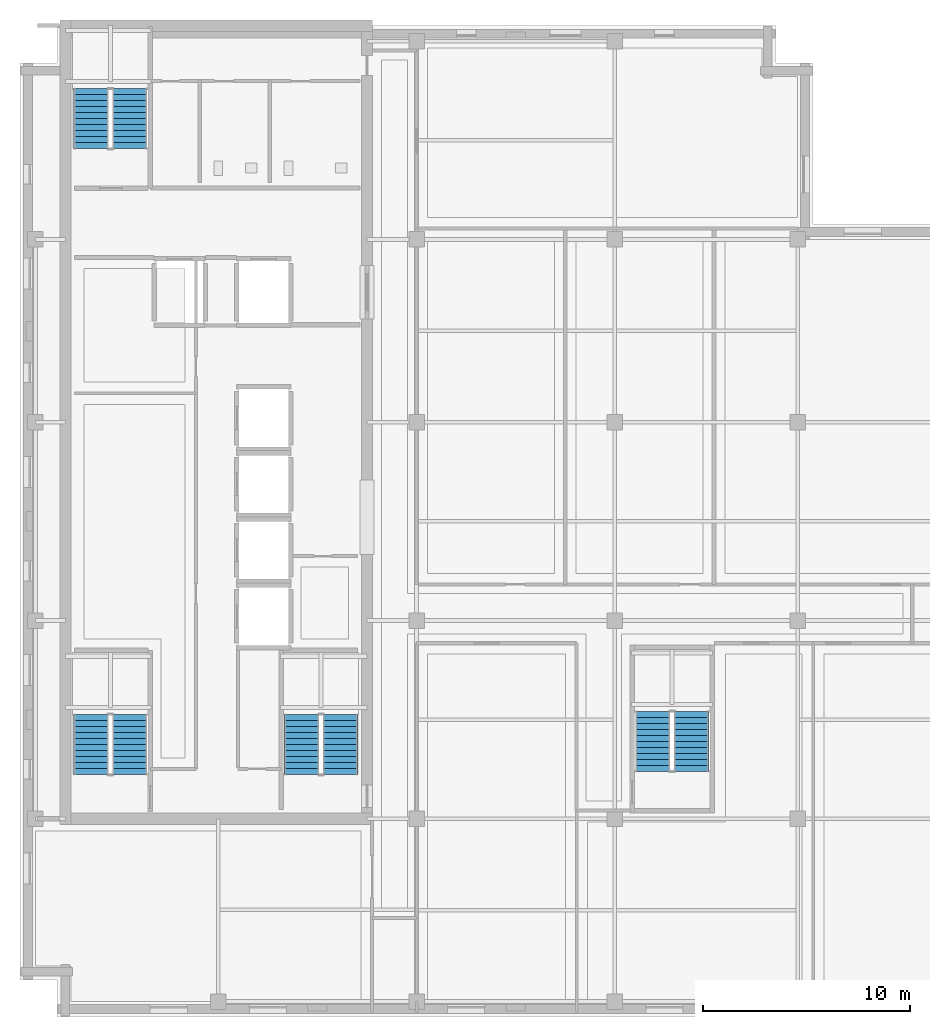
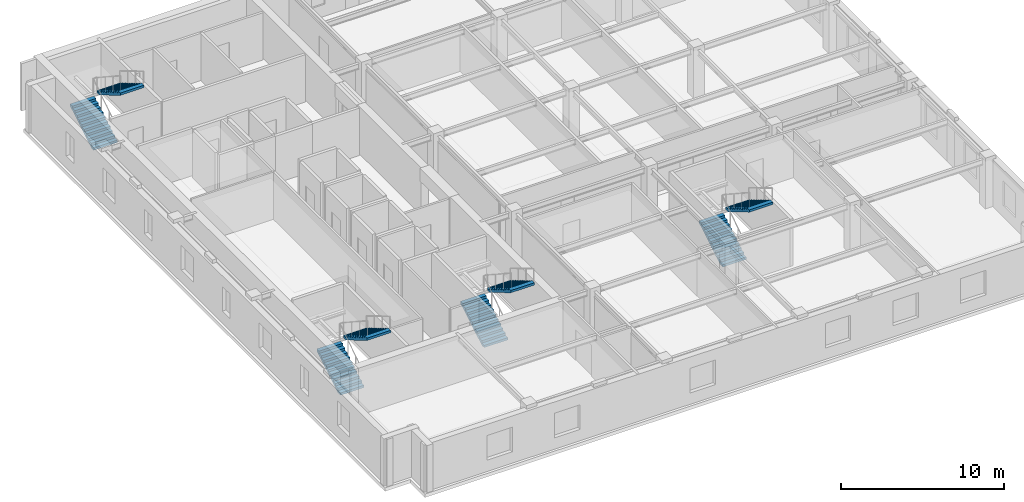
# One storey, part 6 of 10: 8 stair flights, 4 elements without a shape of their own.
"""IFC4 building model written with IfcOpenShell, lengths in metres."""

from ifc_helpers import new_model, si_unit, direction, frame, origin, place, context, subcontext, project, spatial, polyline, outline, extrude, material, type_object, element, aggregate, save


model = new_model("IFC4")

# Units and contexts
model_context = context("Model", 3, precision=1e-05, world=origin(), true_north=direction((0.0, 1.0)))
body_context = subcontext(model_context, "Body", "Model", "MODEL_VIEW")
ifc_project = project(units=[si_unit("LENGTHUNIT", "METRE"), si_unit("AREAUNIT", "SQUARE_METRE"), si_unit("VOLUMEUNIT", "CUBIC_METRE"), si_unit("PLANEANGLEUNIT", "RADIAN"), si_unit("MASSUNIT", "GRAM", prefix="KILO")], contexts=[model_context])

# Site, building, storey
site_placement = place(None, origin())
site = spatial("IfcSite", under=ifc_project, at=site_placement, CompositionType="ELEMENT")
building_placement = place(site_placement, origin())
building = spatial("IfcBuilding", under=site, at=building_placement, Name="Norrvale University Quadrangle", CompositionType="ELEMENT")
storey_placement = place(building_placement, frame((0.0, 0.0, 265.800048828125)))
storey = spatial("IfcBuildingStorey", under=building, at=storey_placement, Name="L67", CompositionType="ELEMENT", Elevation=265.800048828125)

# Stair, stair flights
ifc_material = material(Name="Concrete C40/50", Category="concrete")
stair_type = type_object("IfcStairType", Name="Stair Tower Typ 3800", PredefinedType="TWO_STRAIGHT_RUN_STAIR", material=ifc_material)
stair_1_placement = place(storey_placement, origin())
stair_1 = element("IfcStair", 1, at=stair_1_placement, inside=storey, type_object=stair_type, Name="Exit Stair ST-01 L67", PredefinedType="TWO_STRAIGHT_RUN_STAIR")
stair_flight_type = type_object("IfcStairFlightType", Name="Flight Typ 1500", PredefinedType="STRAIGHT", material=ifc_material)
stair_flight_1_placement = place(storey_placement, frame((3.429931640625, 11.75, 0.0), z_axis=(0.0, 0.0, 1.0), x_axis=(0.0, 1.0, 0.0)))
stair_flight_1 = element("IfcStairFlight", 2, at=stair_flight_1_placement, type_object=stair_flight_type, Name="Exit Stair ST-01 L67 Lower Flight", NumberOfRisers=11, NumberOfTreads=10, PredefinedType="STRAIGHT", RiserHeight=0.172727, TreadLength=0.29, context=body_context, shape_type="SweptSolid", body=[
    extrude(outline(polyline([(0.0, 0.0), (0.0, 0.172607421875), (0.2900390625, 0.172607421875), (0.2900390625, 0.345458984375), (0.580078125, 0.345458984375), (0.580078125, 0.51806640625), (0.8701171875, 0.51806640625), (0.8701171875, 0.69091796875), (1.159912109375, 0.69091796875), (1.159912109375, 0.863525390625), (1.449951171875, 0.863525390625), (1.449951171875, 1.036376953125), (1.739990234375, 1.036376953125), (1.739990234375, 1.208984375), (2.030029296875, 1.208984375), (2.030029296875, 1.3818359375), (2.320068359375, 1.3818359375), (2.320068359375, 1.554443359375), (2.610107421875, 1.554443359375), (2.610107421875, 1.727294921875), (2.89990234375, 1.727294921875), (2.89990234375, 1.89990234375), (2.89990234375, 1.552734375), (0.29296875, 0.0), (0.0, 0.0)])), frame((0.0, 0.83984375, 0.0), z_axis=(0.0, -1.0, 0.0), x_axis=(1.0, 0.0, 0.0)), (0.0, 0.0, 1.0), 1.679931640625),
])
stair_flight_2_placement = place(storey_placement, frame((5.320068359375, 14.64990234375, 1.89990234375), z_axis=(0.0, 0.0, 1.0), x_axis=(0.0, -1.0, 0.0)))
stair_flight_2 = element("IfcStairFlight", 3, at=stair_flight_2_placement, type_object=stair_flight_type, Name="Exit Stair ST-01 L67 Upper Flight", NumberOfRisers=11, NumberOfTreads=10, PredefinedType="STRAIGHT", RiserHeight=0.172727, TreadLength=0.29, context=body_context, shape_type="SweptSolid", body=[
    extrude(outline(polyline([(0.0, 0.0), (0.0, 0.172607421875), (0.2900390625, 0.172607421875), (0.2900390625, 0.345458984375), (0.580078125, 0.345458984375), (0.580078125, 0.51806640625), (0.8701171875, 0.51806640625), (0.8701171875, 0.69091796875), (1.159912109375, 0.69091796875), (1.159912109375, 0.863525390625), (1.449951171875, 0.863525390625), (1.449951171875, 1.036376953125), (1.739990234375, 1.036376953125), (1.739990234375, 1.208984375), (2.030029296875, 1.208984375), (2.030029296875, 1.3818359375), (2.320068359375, 1.3818359375), (2.320068359375, 1.554443359375), (2.610107421875, 1.554443359375), (2.610107421875, 1.727294921875), (2.89990234375, 1.727294921875), (2.89990234375, 1.89990234375), (2.89990234375, 1.552734375), (0.29296875, 0.0), (0.0, 0.0)])), frame((0.0, 0.83984375, 0.0), z_axis=(0.0, -1.0, 0.0), x_axis=(1.0, 0.0, 0.0)), (0.0, 0.0, 1.0), 1.679931640625),
])
aggregate(stair_1, [stair_flight_1, stair_flight_2])

stair_2_placement = place(storey_placement, origin())
stair_2 = element("IfcStair", 4, at=stair_2_placement, inside=storey, type_object=stair_type, Name="Exit Stair ST-02 L67", PredefinedType="TWO_STRAIGHT_RUN_STAIR")
stair_flight_3_placement = place(storey_placement, frame((3.429931640625, 42.050048828125, 0.0), z_axis=(0.0, 0.0, 1.0), x_axis=(0.0, 1.0, 0.0)))
stair_flight_3 = element("IfcStairFlight", 5, at=stair_flight_3_placement, type_object=stair_flight_type, Name="Exit Stair ST-02 L67 Lower Flight", NumberOfRisers=11, NumberOfTreads=10, PredefinedType="STRAIGHT", RiserHeight=0.172727, TreadLength=0.29, context=body_context, shape_type="SweptSolid", body=[
    extrude(outline(polyline([(0.0, 0.0), (0.0, 0.172607421875), (0.2900390625, 0.172607421875), (0.2900390625, 0.345458984375), (0.580078125, 0.345458984375), (0.580078125, 0.51806640625), (0.8701171875, 0.51806640625), (0.8701171875, 0.69091796875), (1.159912109375, 0.69091796875), (1.159912109375, 0.863525390625), (1.449951171875, 0.863525390625), (1.449951171875, 1.036376953125), (1.739990234375, 1.036376953125), (1.739990234375, 1.208984375), (2.030029296875, 1.208984375), (2.030029296875, 1.3818359375), (2.320068359375, 1.3818359375), (2.320068359375, 1.554443359375), (2.610107421875, 1.554443359375), (2.610107421875, 1.727294921875), (2.89990234375, 1.727294921875), (2.89990234375, 1.89990234375), (2.89990234375, 1.552734375), (0.29296875, 0.0), (0.0, 0.0)])), frame((0.0, 0.83984375, 0.0), z_axis=(0.0, -1.0, 0.0), x_axis=(1.0, 0.0, 0.0)), (0.0, 0.0, 1.0), 1.679931640625),
])
stair_flight_4_placement = place(storey_placement, frame((5.320068359375, 44.949951171875, 1.89990234375), z_axis=(0.0, 0.0, 1.0), x_axis=(0.0, -1.0, 0.0)))
stair_flight_4 = element("IfcStairFlight", 6, at=stair_flight_4_placement, type_object=stair_flight_type, Name="Exit Stair ST-02 L67 Upper Flight", NumberOfRisers=11, NumberOfTreads=10, PredefinedType="STRAIGHT", RiserHeight=0.172727, TreadLength=0.29, context=body_context, shape_type="SweptSolid", body=[
    extrude(outline(polyline([(0.0, 0.0), (0.0, 0.172607421875), (0.2900390625, 0.172607421875), (0.2900390625, 0.345458984375), (0.580078125, 0.345458984375), (0.580078125, 0.51806640625), (0.8701171875, 0.51806640625), (0.8701171875, 0.69091796875), (1.159912109375, 0.69091796875), (1.159912109375, 0.863525390625), (1.449951171875, 0.863525390625), (1.449951171875, 1.036376953125), (1.739990234375, 1.036376953125), (1.739990234375, 1.208984375), (2.030029296875, 1.208984375), (2.030029296875, 1.3818359375), (2.320068359375, 1.3818359375), (2.320068359375, 1.554443359375), (2.610107421875, 1.554443359375), (2.610107421875, 1.727294921875), (2.89990234375, 1.727294921875), (2.89990234375, 1.89990234375), (2.89990234375, 1.552734375), (0.29296875, 0.0), (0.0, 0.0)])), frame((0.0, 0.83984375, 0.0), z_axis=(0.0, -1.0, 0.0), x_axis=(1.0, 0.0, 0.0)), (0.0, 0.0, 1.0), 1.679931640625),
])
aggregate(stair_2, [stair_flight_3, stair_flight_4])

stair_3_placement = place(storey_placement, origin())
stair_3 = element("IfcStair", 7, at=stair_3_placement, inside=storey, type_object=stair_type, Name="Exit Stair ST-03 L67", PredefinedType="TWO_STRAIGHT_RUN_STAIR")
stair_flight_5_placement = place(storey_placement, frame((13.6298828125, 11.75, 0.0), z_axis=(0.0, 0.0, 1.0), x_axis=(0.0, 1.0, 0.0)))
stair_flight_5 = element("IfcStairFlight", 8, at=stair_flight_5_placement, type_object=stair_flight_type, Name="Exit Stair ST-03 L67 Lower Flight", NumberOfRisers=11, NumberOfTreads=10, PredefinedType="STRAIGHT", RiserHeight=0.172727, TreadLength=0.29, context=body_context, shape_type="SweptSolid", body=[
    extrude(outline(polyline([(0.0, 0.0), (0.0, 0.172607421875), (0.2900390625, 0.172607421875), (0.2900390625, 0.345458984375), (0.580078125, 0.345458984375), (0.580078125, 0.51806640625), (0.8701171875, 0.51806640625), (0.8701171875, 0.69091796875), (1.159912109375, 0.69091796875), (1.159912109375, 0.863525390625), (1.449951171875, 0.863525390625), (1.449951171875, 1.036376953125), (1.739990234375, 1.036376953125), (1.739990234375, 1.208984375), (2.030029296875, 1.208984375), (2.030029296875, 1.3818359375), (2.320068359375, 1.3818359375), (2.320068359375, 1.554443359375), (2.610107421875, 1.554443359375), (2.610107421875, 1.727294921875), (2.89990234375, 1.727294921875), (2.89990234375, 1.89990234375), (2.89990234375, 1.552734375), (0.29296875, 0.0), (0.0, 0.0)])), frame((0.0, 0.83984375, 0.0), z_axis=(0.0, -1.0, 0.0), x_axis=(1.0, 0.0, 0.0)), (0.0, 0.0, 1.0), 1.679931640625),
])
stair_flight_6_placement = place(storey_placement, frame((15.52001953125, 14.64990234375, 1.89990234375), z_axis=(0.0, 0.0, 1.0), x_axis=(0.0, -1.0, 0.0)))
stair_flight_6 = element("IfcStairFlight", 9, at=stair_flight_6_placement, type_object=stair_flight_type, Name="Exit Stair ST-03 L67 Upper Flight", NumberOfRisers=11, NumberOfTreads=10, PredefinedType="STRAIGHT", RiserHeight=0.172727, TreadLength=0.29, context=body_context, shape_type="SweptSolid", body=[
    extrude(outline(polyline([(0.0, 0.0), (0.0, 0.172607421875), (0.2900390625, 0.172607421875), (0.2900390625, 0.345458984375), (0.580078125, 0.345458984375), (0.580078125, 0.51806640625), (0.8701171875, 0.51806640625), (0.8701171875, 0.69091796875), (1.159912109375, 0.69091796875), (1.159912109375, 0.863525390625), (1.449951171875, 0.863525390625), (1.449951171875, 1.036376953125), (1.739990234375, 1.036376953125), (1.739990234375, 1.208984375), (2.030029296875, 1.208984375), (2.030029296875, 1.3818359375), (2.320068359375, 1.3818359375), (2.320068359375, 1.554443359375), (2.610107421875, 1.554443359375), (2.610107421875, 1.727294921875), (2.89990234375, 1.727294921875), (2.89990234375, 1.89990234375), (2.89990234375, 1.552734375), (0.29296875, 0.0), (0.0, 0.0)])), frame((0.0, 0.83984375, 0.0), z_axis=(0.0, -1.0, 0.0), x_axis=(1.0, 0.0, 0.0)), (0.0, 0.0, 1.0), 1.679931640625),
])
aggregate(stair_3, [stair_flight_5, stair_flight_6])

stair_4_placement = place(storey_placement, origin())
stair_4 = element("IfcStair", 10, at=stair_4_placement, inside=storey, type_object=stair_type, Name="Exit Stair ST-04 L67", PredefinedType="TWO_STRAIGHT_RUN_STAIR")
stair_flight_7_placement = place(storey_placement, frame((30.6298828125, 11.89990234375, 0.0), z_axis=(0.0, 0.0, 1.0), x_axis=(0.0, 1.0, 0.0)))
stair_flight_7 = element("IfcStairFlight", 11, at=stair_flight_7_placement, type_object=stair_flight_type, Name="Exit Stair ST-04 L67 Lower Flight", NumberOfRisers=11, NumberOfTreads=10, PredefinedType="STRAIGHT", RiserHeight=0.172727, TreadLength=0.29, context=body_context, shape_type="SweptSolid", body=[
    extrude(outline(polyline([(0.0, 0.0), (0.0, 0.172607421875), (0.2900390625, 0.172607421875), (0.2900390625, 0.345458984375), (0.580078125, 0.345458984375), (0.580078125, 0.51806640625), (0.8701171875, 0.51806640625), (0.8701171875, 0.69091796875), (1.159912109375, 0.69091796875), (1.159912109375, 0.863525390625), (1.449951171875, 0.863525390625), (1.449951171875, 1.036376953125), (1.739990234375, 1.036376953125), (1.739990234375, 1.208984375), (2.030029296875, 1.208984375), (2.030029296875, 1.3818359375), (2.320068359375, 1.3818359375), (2.320068359375, 1.554443359375), (2.610107421875, 1.554443359375), (2.610107421875, 1.727294921875), (2.89990234375, 1.727294921875), (2.89990234375, 1.89990234375), (2.89990234375, 1.552734375), (0.29296875, 0.0), (0.0, 0.0)])), frame((0.0, 0.83984375, 0.0), z_axis=(0.0, -1.0, 0.0), x_axis=(1.0, 0.0, 0.0)), (0.0, 0.0, 1.0), 1.679931640625),
])
stair_flight_8_placement = place(storey_placement, frame((32.52001953125, 14.800048828125, 1.89990234375), z_axis=(0.0, 0.0, 1.0), x_axis=(0.0, -1.0, 0.0)))
stair_flight_8 = element("IfcStairFlight", 12, at=stair_flight_8_placement, type_object=stair_flight_type, Name="Exit Stair ST-04 L67 Upper Flight", NumberOfRisers=11, NumberOfTreads=10, PredefinedType="STRAIGHT", RiserHeight=0.172727, TreadLength=0.29, context=body_context, shape_type="SweptSolid", body=[
    extrude(outline(polyline([(0.0, 0.0), (0.0, 0.172607421875), (0.2900390625, 0.172607421875), (0.2900390625, 0.345458984375), (0.580078125, 0.345458984375), (0.580078125, 0.51806640625), (0.8701171875, 0.51806640625), (0.8701171875, 0.69091796875), (1.159912109375, 0.69091796875), (1.159912109375, 0.863525390625), (1.449951171875, 0.863525390625), (1.449951171875, 1.036376953125), (1.739990234375, 1.036376953125), (1.739990234375, 1.208984375), (2.030029296875, 1.208984375), (2.030029296875, 1.3818359375), (2.320068359375, 1.3818359375), (2.320068359375, 1.554443359375), (2.610107421875, 1.554443359375), (2.610107421875, 1.727294921875), (2.89990234375, 1.727294921875), (2.89990234375, 1.89990234375), (2.89990234375, 1.552734375), (0.29296875, 0.0), (0.0, 0.0)])), frame((0.0, 0.83984375, 0.0), z_axis=(0.0, -1.0, 0.0), x_axis=(1.0, 0.0, 0.0)), (0.0, 0.0, 1.0), 1.679931640625),
])
aggregate(stair_4, [stair_flight_7, stair_flight_8])

save(model, "model.ifc")
